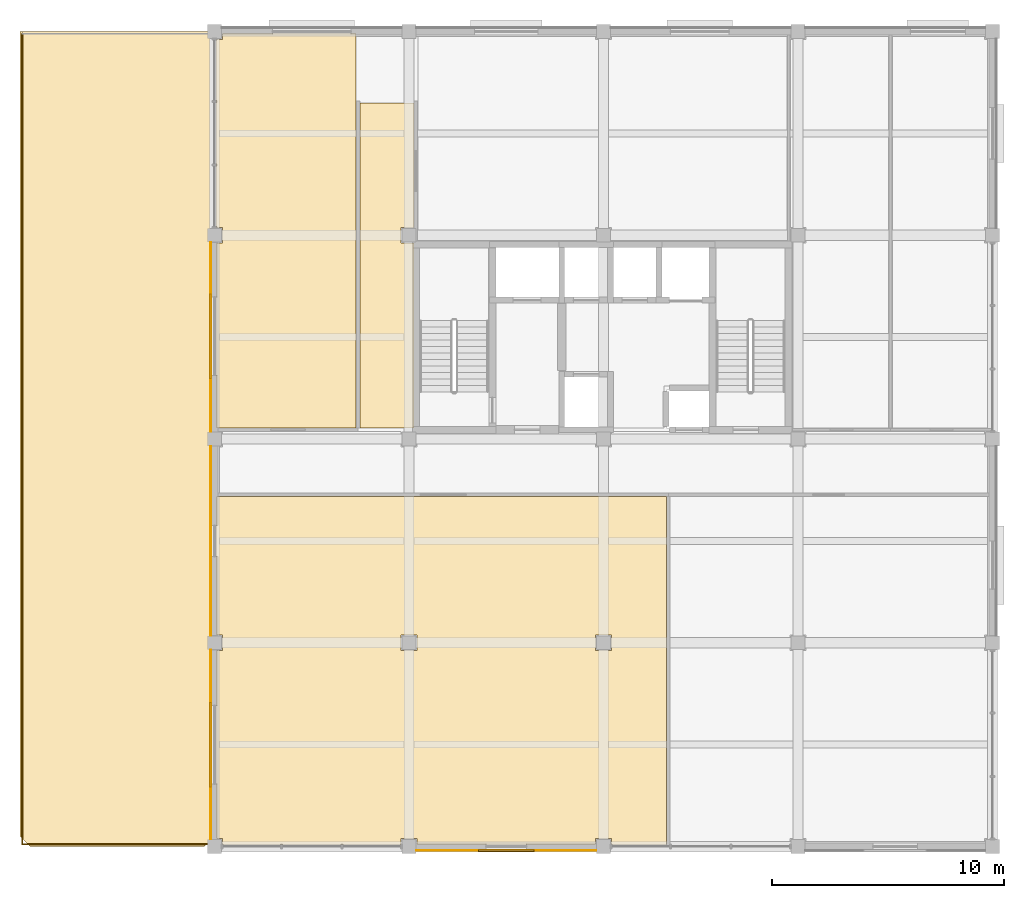
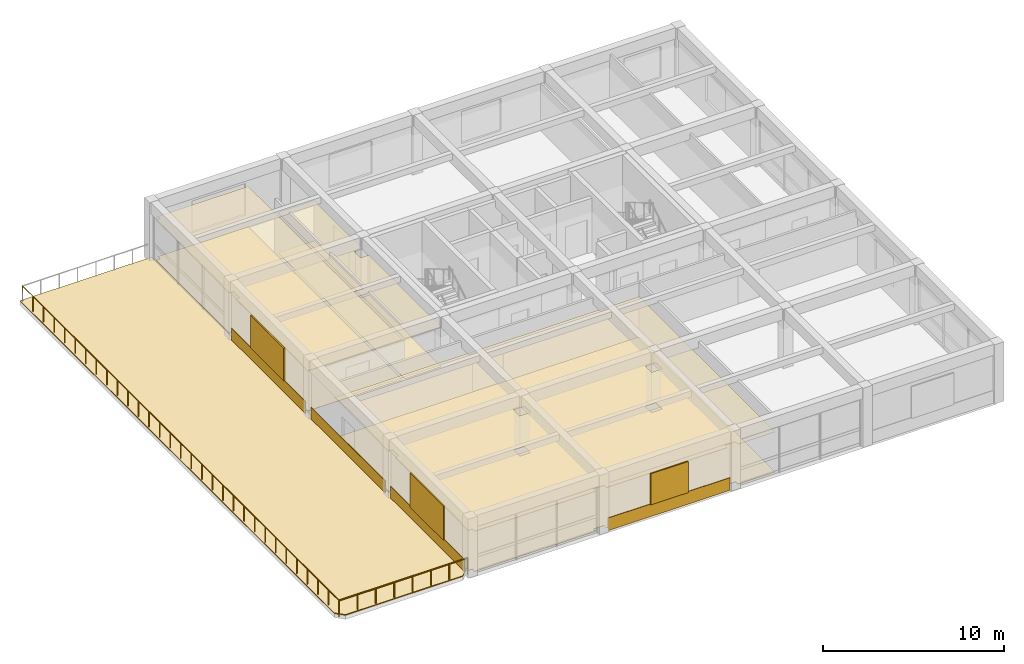
# One storey, part 8 of 10: 11 coverings, 3 shading devices, 2 railings.
"""IFC4 building model written with IfcOpenShell, lengths in metres."""

from ifc_helpers import new_model, si_unit, direction, frame, origin, origin_2d, place, context, subcontext, project, spatial, polyline, rectangle, circle, outline, extrude, material, layer, layer_set, type_object, element, save


model = new_model("IFC4")

# Units and contexts
model_context = context("Model", 3, precision=1e-05, world=origin(), true_north=direction((0.0, 1.0)))
body_context = subcontext(model_context, "Body", "Model", "MODEL_VIEW")
ifc_project = project(units=[si_unit("LENGTHUNIT", "METRE"), si_unit("AREAUNIT", "SQUARE_METRE"), si_unit("VOLUMEUNIT", "CUBIC_METRE"), si_unit("PLANEANGLEUNIT", "RADIAN"), si_unit("MASSUNIT", "GRAM", prefix="KILO")], contexts=[model_context])

# Site, building, storey
site_placement = place(None, origin())
site = spatial("IfcSite", under=ifc_project, at=site_placement, CompositionType="ELEMENT")
building_placement = place(site_placement, origin())
building = spatial("IfcBuilding", under=site, at=building_placement, Name="Kemercrest Conservatory and Botanical Centre", CompositionType="ELEMENT")
storey_placement = place(building_placement, frame((0.0, 0.0, 48.199951171875)))
storey = spatial("IfcBuildingStorey", under=building, at=storey_placement, Name="L12", CompositionType="ELEMENT", Elevation=48.199951171875)

# Coverings
ifc_material_1 = material(Name="Glazed turquoise ceramic tile spandrel", Category="masonry")
ifc_layer_1 = layer(ifc_material_1, 0.028076171875)
ifc_layer_set_1 = layer_set([ifc_layer_1], Name="Glazed turquoise ceramic tile spandrel")
covering_type_1 = type_object("IfcCoveringType", Name="CV-CLD028", PredefinedType="CLADDING", material=ifc_layer_set_1)
covering_1_placement = place(storey_placement, origin())
element("IfcCovering", 1, at=covering_1_placement, inside=storey, type_object=covering_type_1, Name="Exterior stone spandrel cladding (WAL:L12:EXT-312)", PredefinedType="CLADDING", context=body_context, shape_type="SweptSolid", body=[
    extrude(outline(polyline([(151.110107421875, 87.050048828125), (151.110107421875, 87.02197265625), (158.889892578125, 87.02197265625), (158.889892578125, 87.050048828125), (151.110107421875, 87.050048828125)])), origin(), (0.0, 0.0, 1.0), 0.85009765625),
])
covering_2_placement = place(storey_placement, origin())
element("IfcCovering", 2, at=covering_2_placement, inside=storey, type_object=covering_type_1, Name="Exterior stone spandrel cladding (WAL:L12:EXT-320)", PredefinedType="CLADDING", context=body_context, shape_type="SweptSolid", body=[
    extrude(outline(polyline([(142.25, 113.2900390625), (142.221923828125, 113.2900390625), (142.221923828125, 105.110107421875), (142.25, 105.110107421875), (142.25, 113.2900390625)])), origin(), (0.0, 0.0, 1.0), 0.85009765625),
])
covering_3_placement = place(storey_placement, origin())
element("IfcCovering", 3, at=covering_3_placement, inside=storey, type_object=covering_type_1, Name="Exterior stone spandrel cladding (WAL:L12:EXT-321)", PredefinedType="CLADDING", context=body_context, shape_type="SweptSolid", body=[
    extrude(outline(polyline([(142.25, 104.489990234375), (142.221923828125, 104.489990234375), (142.221923828125, 96.31005859375), (142.25, 96.31005859375), (142.25, 104.489990234375)])), origin(), (0.0, 0.0, 1.0), 0.85009765625),
])
covering_4_placement = place(storey_placement, origin())
element("IfcCovering", 4, at=covering_4_placement, inside=storey, type_object=covering_type_1, Name="Exterior stone spandrel cladding (WAL:L12:EXT-322)", PredefinedType="CLADDING", context=body_context, shape_type="SweptSolid", body=[
    extrude(outline(polyline([(142.25, 95.68994140625), (142.221923828125, 95.68994140625), (142.221923828125, 87.510009765625), (142.25, 87.510009765625), (142.25, 95.68994140625)])), origin(), (0.0, 0.0, 1.0), 0.85009765625),
])
ifc_material_2 = material(Name="Perforated acoustic gypsum and mineral-fibre suspended ceiling", Category="gypsum")
ifc_layer_2 = layer(ifc_material_2, 0.034912109375)
ifc_layer_set_2 = layer_set([ifc_layer_2], Name="Perforated acoustic gypsum and mineral-fibre suspended ceiling")
covering_type_2 = type_object("IfcCoveringType", Name="CV-CLG035", PredefinedType="CEILING", material=ifc_layer_set_2)
covering_5_placement = place(storey_placement, frame((0.0, 0.0, 2.699951171875)))
element("IfcCovering", 5, at=covering_5_placement, inside=storey, type_object=covering_type_2, Name="Botanical Colloquium Hall suspended acoustic ceiling", PredefinedType="CEILING", context=body_context, shape_type="SweptSolid", body=[
    extrude(outline(polyline([(158.860107421875, 87.5400390625), (159.5400390625, 87.5400390625), (159.5400390625, 87.280029296875), (161.919921875, 87.280029296875), (161.919921875, 102.320068359375), (142.47998046875, 102.320068359375), (142.47998046875, 96.340087890625), (142.739990234375, 96.340087890625), (142.739990234375, 95.659912109375), (142.47998046875, 95.659912109375), (142.47998046875, 87.5400390625), (142.739990234375, 87.5400390625), (142.739990234375, 87.280029296875), (150.4599609375, 87.280029296875), (150.4599609375, 87.5400390625), (151.139892578125, 87.5400390625), (151.139892578125, 87.280029296875), (158.860107421875, 87.280029296875), (158.860107421875, 87.5400390625)]), holes=[polyline([(158.860107421875, 96.340087890625), (159.5400390625, 96.340087890625), (159.5400390625, 95.659912109375), (158.860107421875, 95.659912109375), (158.860107421875, 96.340087890625)]), polyline([(150.4599609375, 95.659912109375), (150.4599609375, 96.340087890625), (151.139892578125, 96.340087890625), (151.139892578125, 95.659912109375), (150.4599609375, 95.659912109375)])]), origin(), (0.0, 0.0, 1.0), 0.03515625),
])
covering_6_placement = place(storey_placement, frame((0.0, 0.0, 2.699951171875)))
element("IfcCovering", 6, at=covering_6_placement, inside=storey, type_object=covering_type_2, Name="Symposium Seminar Room suspended acoustic ceiling", PredefinedType="CEILING", context=body_context, shape_type="SweptSolid", body=[
    extrude(outline(polyline([(142.47998046875, 105.280029296875), (148.52001953125, 105.280029296875), (148.52001953125, 122.320068359375), (142.739990234375, 122.320068359375), (142.739990234375, 122.06005859375), (142.47998046875, 122.06005859375), (142.47998046875, 113.93994140625), (142.739990234375, 113.93994140625), (142.739990234375, 113.260009765625), (142.47998046875, 113.260009765625), (142.47998046875, 105.280029296875)])), origin(), (0.0, 0.0, 1.0), 0.03515625),
])
covering_7_placement = place(storey_placement, frame((0.0, 0.0, 2.699951171875)))
element("IfcCovering", 7, at=covering_7_placement, inside=storey, type_object=covering_type_2, Name="North Core Lobby Branch suspended acoustic ceiling", PredefinedType="CEILING", context=body_context, shape_type="SweptSolid", body=[
    extrude(outline(polyline([(148.679931640625, 105.280029296875), (151.02001953125, 105.280029296875), (151.02001953125, 113.260009765625), (150.4599609375, 113.260009765625), (150.4599609375, 113.93994140625), (151.02001953125, 113.93994140625), (151.02001953125, 119.320068359375), (148.679931640625, 119.320068359375), (148.679931640625, 105.280029296875)])), origin(), (0.0, 0.0, 1.0), 0.03515625),
])
ifc_material_3 = material(Name="Polished limestone terrazzo and seamless laboratory epoxy flooring", Category="masonry")
ifc_layer_3 = layer(ifc_material_3, 0.02001953125)
ifc_layer_set_3 = layer_set([ifc_layer_3], Name="Polished limestone terrazzo and seamless laboratory epoxy flooring")
covering_type_3 = type_object("IfcCoveringType", Name="CV-FLR020", PredefinedType="FLOORING", material=ifc_layer_set_3)
covering_8_placement = place(storey_placement, origin())
element("IfcCovering", 8, at=covering_8_placement, inside=storey, type_object=covering_type_3, Name="Botanical Colloquium Hall floor finish", PredefinedType="FLOORING", context=body_context, shape_type="SweptSolid", body=[
    extrude(outline(polyline([(158.860107421875, 87.5400390625), (159.5400390625, 87.5400390625), (159.5400390625, 87.280029296875), (161.919921875, 87.280029296875), (161.919921875, 102.320068359375), (142.47998046875, 102.320068359375), (142.47998046875, 96.340087890625), (142.739990234375, 96.340087890625), (142.739990234375, 95.659912109375), (142.47998046875, 95.659912109375), (142.47998046875, 87.5400390625), (142.739990234375, 87.5400390625), (142.739990234375, 87.280029296875), (150.4599609375, 87.280029296875), (150.4599609375, 87.5400390625), (151.139892578125, 87.5400390625), (151.139892578125, 87.280029296875), (158.860107421875, 87.280029296875), (158.860107421875, 87.5400390625)]), holes=[polyline([(158.860107421875, 96.340087890625), (159.5400390625, 96.340087890625), (159.5400390625, 95.659912109375), (158.860107421875, 95.659912109375), (158.860107421875, 96.340087890625)]), polyline([(150.4599609375, 95.659912109375), (150.4599609375, 96.340087890625), (151.139892578125, 96.340087890625), (151.139892578125, 95.659912109375), (150.4599609375, 95.659912109375)])]), origin(), (0.0, 0.0, 1.0), 0.02001953125),
])
covering_9_placement = place(storey_placement, origin())
element("IfcCovering", 9, at=covering_9_placement, inside=storey, type_object=covering_type_3, Name="Symposium Seminar Room floor finish", PredefinedType="FLOORING", context=body_context, shape_type="SweptSolid", body=[
    extrude(outline(polyline([(142.47998046875, 105.280029296875), (148.52001953125, 105.280029296875), (148.52001953125, 122.320068359375), (142.739990234375, 122.320068359375), (142.739990234375, 122.06005859375), (142.47998046875, 122.06005859375), (142.47998046875, 113.93994140625), (142.739990234375, 113.93994140625), (142.739990234375, 113.260009765625), (142.47998046875, 113.260009765625), (142.47998046875, 105.280029296875)])), origin(), (0.0, 0.0, 1.0), 0.02001953125),
])
covering_10_placement = place(storey_placement, origin())
element("IfcCovering", 10, at=covering_10_placement, inside=storey, type_object=covering_type_3, Name="North Core Lobby Branch floor finish", PredefinedType="FLOORING", context=body_context, shape_type="SweptSolid", body=[
    extrude(outline(polyline([(148.679931640625, 105.280029296875), (151.02001953125, 105.280029296875), (151.02001953125, 113.260009765625), (150.4599609375, 113.260009765625), (150.4599609375, 113.93994140625), (151.02001953125, 113.93994140625), (151.02001953125, 119.320068359375), (148.679931640625, 119.320068359375), (148.679931640625, 105.280029296875)])), origin(), (0.0, 0.0, 1.0), 0.02001953125),
])
ifc_material_4 = material(Name="SBS modified bitumen insulated roofing membrane", Category="roofing")
ifc_layer_4 = layer(ifc_material_4, 0.06005859375)
ifc_layer_set_4 = layer_set([ifc_layer_4], Name="SBS modified bitumen insulated roofing membrane")
covering_type_4 = type_object("IfcCoveringType", Name="CV-RFG060", PredefinedType="ROOFING", material=ifc_layer_set_4)
covering_11_placement = place(storey_placement, origin())
element("IfcCovering", 11, at=covering_11_placement, inside=storey, type_object=covering_type_4, Name="Insulated roof membrane covering (V4 L12 Symposium Harbour Setback Terrace)", PredefinedType="ROOFING", context=body_context, shape_type="SweptSolid", body=[
    extrude(outline(polyline([(134.449951171875, 87.199951171875), (141.949951171875, 87.199951171875), (142.39990234375, 87.64990234375), (142.39990234375, 122.39990234375), (134.0, 122.39990234375), (134.0, 87.64990234375), (134.449951171875, 87.199951171875)])), origin(), (0.0, 0.0, 1.0), 0.06005859375),
])

# Railings
ifc_material_5 = material(Name="Architectural bronze-anodized steel balustrade", Category="steel")
railing_type = type_object("IfcRailingType", Name="GR-TER110", PredefinedType="GUARDRAIL", material=ifc_material_5)
railing_1_placement = place(storey_placement, frame((142.300048828125, 87.300048828125, 0.0)))
element("IfcRailing", 12, at=railing_1_placement, inside=storey, type_object=railing_type, Name="Safety guardrail GR-TER110 (V4-L12W-1)", PredefinedType="GUARDRAIL", context=body_context, shape_type="SweptSolid", body=[
    extrude(circle(Radius=0.02392578125, at=origin_2d()), frame((0.0, 0.0, 1.076171875), z_axis=(-1.0, 0.0, 0.0), x_axis=(0.0, -1.0, 0.0)), (0.0, 0.0, 1.0), 8.199951171875),
    extrude(circle(Radius=0.02099609375, at=origin_2d()), origin(), (0.0, 0.0, 1.0), 1.052001953125),
    extrude(circle(Radius=0.02099609375, at=origin_2d()), frame((-1.17138671875, 0.0, 0.0)), (0.0, 0.0, 1.0), 1.052001953125),
    extrude(circle(Radius=0.02099609375, at=origin_2d()), frame((-2.3427734375, 0.0, 0.0)), (0.0, 0.0, 1.0), 1.052001953125),
    extrude(circle(Radius=0.02099609375, at=origin_2d()), frame((-3.51416015625, 0.0, 0.0)), (0.0, 0.0, 1.0), 1.052001953125),
    extrude(circle(Radius=0.02099609375, at=origin_2d()), frame((-4.685791015625, 0.0, 0.0)), (0.0, 0.0, 1.0), 1.052001953125),
    extrude(circle(Radius=0.02099609375, at=origin_2d()), frame((-5.857177734375, 0.0, 0.0)), (0.0, 0.0, 1.0), 1.052001953125),
    extrude(circle(Radius=0.02099609375, at=origin_2d()), frame((-7.028564453125, 0.0, 0.0)), (0.0, 0.0, 1.0), 1.052001953125),
    extrude(circle(Radius=0.02099609375, at=origin_2d()), frame((-8.199951171875, 0.0, 0.0)), (0.0, 0.0, 1.0), 1.052001953125),
])
railing_2_placement = place(storey_placement, frame((134.10009765625, 87.300048828125, 0.0)))
element("IfcRailing", 13, at=railing_2_placement, inside=storey, type_object=railing_type, Name="Safety guardrail GR-TER110 (V4-L12W-2)", PredefinedType="GUARDRAIL", context=body_context, shape_type="SweptSolid", body=[
    extrude(circle(Radius=0.02392578125, at=origin_2d()), frame((0.0, 0.0, 1.076171875), z_axis=(0.0, 1.0, 0.0), x_axis=(-1.0, 0.0, 0.0)), (0.0, 0.0, 1.0), 35.0),
    extrude(circle(Radius=0.02099609375, at=origin_2d()), origin(), (0.0, 0.0, 1.0), 1.052001953125),
    extrude(circle(Radius=0.02099609375, at=origin_2d()), frame((0.0, 1.166748046875, 0.0)), (0.0, 0.0, 1.0), 1.052001953125),
    extrude(circle(Radius=0.02099609375, at=origin_2d()), frame((0.0, 2.333251953125, 0.0)), (0.0, 0.0, 1.0), 1.052001953125),
    extrude(circle(Radius=0.02099609375, at=origin_2d()), frame((0.0, 3.5, 0.0)), (0.0, 0.0, 1.0), 1.052001953125),
    extrude(circle(Radius=0.02099609375, at=origin_2d()), frame((0.0, 4.666748046875, 0.0)), (0.0, 0.0, 1.0), 1.052001953125),
    extrude(circle(Radius=0.02099609375, at=origin_2d()), frame((0.0, 5.833251953125, 0.0)), (0.0, 0.0, 1.0), 1.052001953125),
    extrude(circle(Radius=0.02099609375, at=origin_2d()), frame((0.0, 7.0, 0.0)), (0.0, 0.0, 1.0), 1.052001953125),
    extrude(circle(Radius=0.02099609375, at=origin_2d()), frame((0.0, 8.166748046875, 0.0)), (0.0, 0.0, 1.0), 1.052001953125),
    extrude(circle(Radius=0.02099609375, at=origin_2d()), frame((0.0, 9.333251953125, 0.0)), (0.0, 0.0, 1.0), 1.052001953125),
    extrude(circle(Radius=0.02099609375, at=origin_2d()), frame((0.0, 10.5, 0.0)), (0.0, 0.0, 1.0), 1.052001953125),
    extrude(circle(Radius=0.02099609375, at=origin_2d()), frame((0.0, 11.666748046875, 0.0)), (0.0, 0.0, 1.0), 1.052001953125),
    extrude(circle(Radius=0.02099609375, at=origin_2d()), frame((0.0, 12.833251953125, 0.0)), (0.0, 0.0, 1.0), 1.052001953125),
    extrude(circle(Radius=0.02099609375, at=origin_2d()), frame((0.0, 14.0, 0.0)), (0.0, 0.0, 1.0), 1.052001953125),
    extrude(circle(Radius=0.02099609375, at=origin_2d()), frame((0.0, 15.166748046875, 0.0)), (0.0, 0.0, 1.0), 1.052001953125),
    extrude(circle(Radius=0.02099609375, at=origin_2d()), frame((0.0, 16.333251953125, 0.0)), (0.0, 0.0, 1.0), 1.052001953125),
    extrude(circle(Radius=0.02099609375, at=origin_2d()), frame((0.0, 17.5, 0.0)), (0.0, 0.0, 1.0), 1.052001953125),
    extrude(circle(Radius=0.02099609375, at=origin_2d()), frame((0.0, 18.666748046875, 0.0)), (0.0, 0.0, 1.0), 1.052001953125),
    extrude(circle(Radius=0.02099609375, at=origin_2d()), frame((0.0, 19.833251953125, 0.0)), (0.0, 0.0, 1.0), 1.052001953125),
    extrude(circle(Radius=0.02099609375, at=origin_2d()), frame((0.0, 21.0, 0.0)), (0.0, 0.0, 1.0), 1.052001953125),
    extrude(circle(Radius=0.02099609375, at=origin_2d()), frame((0.0, 22.166748046875, 0.0)), (0.0, 0.0, 1.0), 1.052001953125),
    extrude(circle(Radius=0.02099609375, at=origin_2d()), frame((0.0, 23.333251953125, 0.0)), (0.0, 0.0, 1.0), 1.052001953125),
    extrude(circle(Radius=0.02099609375, at=origin_2d()), frame((0.0, 24.5, 0.0)), (0.0, 0.0, 1.0), 1.052001953125),
    extrude(circle(Radius=0.02099609375, at=origin_2d()), frame((0.0, 25.666748046875, 0.0)), (0.0, 0.0, 1.0), 1.052001953125),
    extrude(circle(Radius=0.02099609375, at=origin_2d()), frame((0.0, 26.833251953125, 0.0)), (0.0, 0.0, 1.0), 1.052001953125),
    extrude(circle(Radius=0.02099609375, at=origin_2d()), frame((0.0, 28.0, 0.0)), (0.0, 0.0, 1.0), 1.052001953125),
    extrude(circle(Radius=0.02099609375, at=origin_2d()), frame((0.0, 29.166748046875, 0.0)), (0.0, 0.0, 1.0), 1.052001953125),
    extrude(circle(Radius=0.02099609375, at=origin_2d()), frame((0.0, 30.333251953125, 0.0)), (0.0, 0.0, 1.0), 1.052001953125),
    extrude(circle(Radius=0.02099609375, at=origin_2d()), frame((0.0, 31.5, 0.0)), (0.0, 0.0, 1.0), 1.052001953125),
    extrude(circle(Radius=0.02099609375, at=origin_2d()), frame((0.0, 32.666748046875, 0.0)), (0.0, 0.0, 1.0), 1.052001953125),
    extrude(circle(Radius=0.02099609375, at=origin_2d()), frame((0.0, 33.833251953125, 0.0)), (0.0, 0.0, 1.0), 1.052001953125),
    extrude(circle(Radius=0.02099609375, at=origin_2d()), frame((0.0, 35.0, 0.0)), (0.0, 0.0, 1.0), 1.052001953125),
])

# Shading devices
ifc_material_6 = material(Name="Perforated bronze-anodized aluminium", Category="aluminium")
shading_device_type_1 = type_object("IfcShadingDeviceType", Name="SH-MS01", PredefinedType="USERDEFINED", material=ifc_material_6)
shading_device_1_placement = place(storey_placement, frame((142.2119140625, 109.2451171875, 0.875), z_axis=(0.0, 0.0, 1.0), x_axis=(0.0, -1.0, 0.0)))
element("IfcShadingDevice", 14, at=shading_device_1_placement, inside=storey, type_object=shading_device_type_1, Name="Ottoman mashrabiya perforated screen SH-MS01 (WIN:L12:EXT-320)", ObjectType="MASHRABIYA SCREEN", PredefinedType="USERDEFINED", context=body_context, shape_type="SweptSolid", body=[
    extrude(rectangle(XDim=3.679931640625, YDim=0.080078125, at=origin_2d()), origin(), (0.0, 0.0, 1.0), 2.199951171875),
])
shading_device_type_2 = type_object("IfcShadingDeviceType", Name="SH-MS03", PredefinedType="USERDEFINED", material=ifc_material_6)
shading_device_2_placement = place(storey_placement, frame((155.0, 87.011962890625, 0.820068359375), z_axis=(0.0, 0.0, 1.0), x_axis=(1.0, 0.0, 0.0)))
element("IfcShadingDevice", 15, at=shading_device_2_placement, inside=storey, type_object=shading_device_type_2, Name="Ottoman mashrabiya perforated screen SH-MS03 (WIN:L12:EXT-312)", ObjectType="MASHRABIYA SCREEN", PredefinedType="USERDEFINED", context=body_context, shape_type="SweptSolid", body=[
    extrude(rectangle(XDim=2.39990234375, YDim=0.080078125, at=origin_2d()), origin(), (0.0, 0.0, 1.0), 2.10009765625),
])
shading_device_3_placement = place(storey_placement, frame((142.2119140625, 91.60009765625, 0.820068359375), z_axis=(0.0, 0.0, 1.0), x_axis=(0.0, -1.0, 0.0)))
element("IfcShadingDevice", 16, at=shading_device_3_placement, inside=storey, type_object=shading_device_type_2, Name="Ottoman mashrabiya perforated screen SH-MS03 (WIN:L12:EXT-322)", ObjectType="MASHRABIYA SCREEN", PredefinedType="USERDEFINED", context=body_context, shape_type="SweptSolid", body=[
    extrude(rectangle(XDim=3.679931640625, YDim=0.080078125, at=origin_2d()), origin(), (0.0, 0.0, 1.0), 2.31005859375),
])

save(model, "model.ifc")
